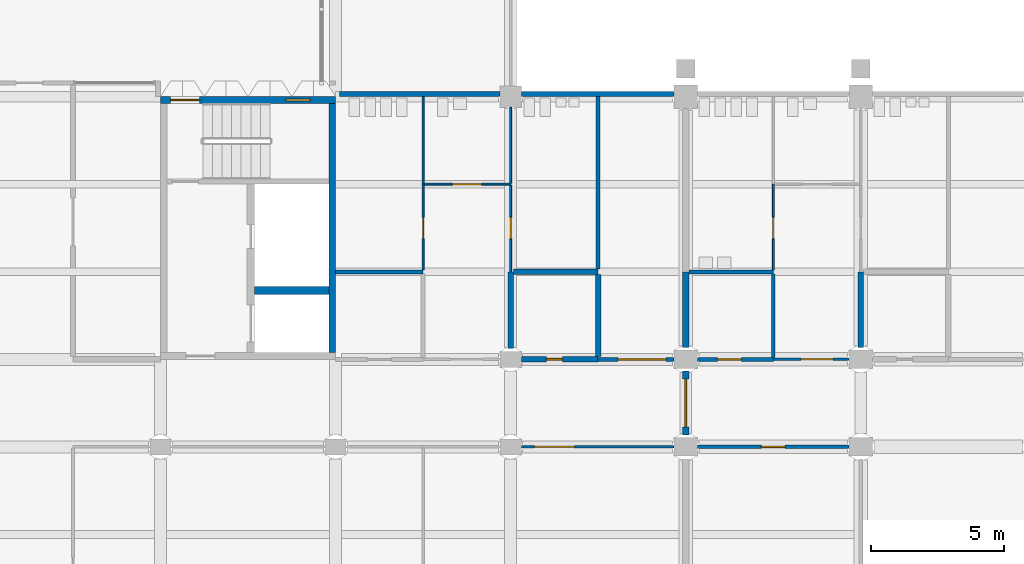
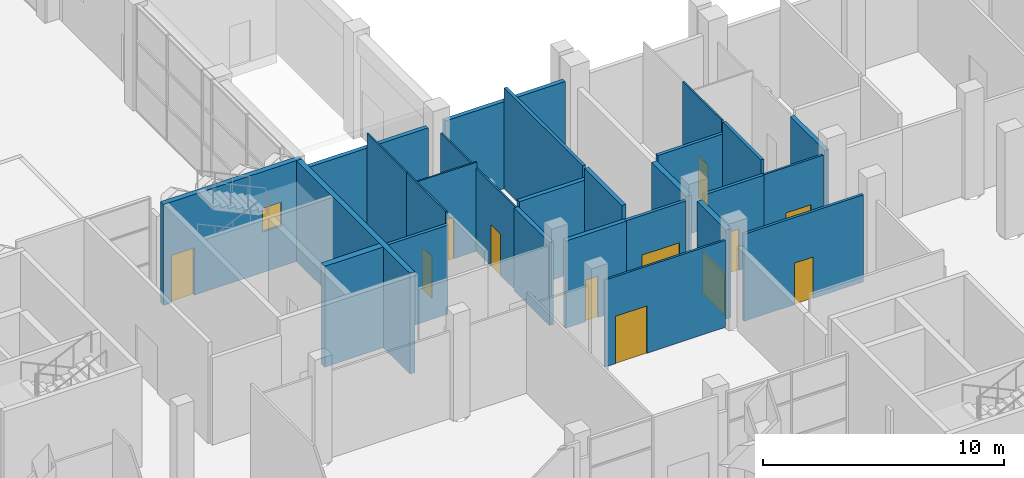
# One storey, part 29 of 85: 27 walls, 12 doors, 1 window, 13 openings.
"""IFC4 building model written with IfcOpenShell, lengths in metres."""

from ifc_helpers import new_model, si_unit, direction, frame, frame_2d, origin, place, context, subcontext, project, spatial, rectangle, extrude, material, layer, layer_set, type_object, element, fill, save


model = new_model("IFC4")

# Units and contexts
model_context = context("Model", 3, precision=1e-05, world=origin(), true_north=direction((0.0, 1.0)))
body_context = subcontext(model_context, "Body", "Model", "MODEL_VIEW")
ifc_project = project(units=[si_unit("LENGTHUNIT", "METRE"), si_unit("AREAUNIT", "SQUARE_METRE"), si_unit("VOLUMEUNIT", "CUBIC_METRE"), si_unit("PLANEANGLEUNIT", "RADIAN"), si_unit("MASSUNIT", "GRAM", prefix="KILO")], contexts=[model_context])

# Site, building, storey
site_placement = place(None, origin())
site = spatial("IfcSite", under=ifc_project, at=site_placement, CompositionType="ELEMENT")
building_placement = place(site_placement, origin())
building = spatial("IfcBuilding", under=site, at=building_placement, Name="Lantern Court Research Institute", CompositionType="ELEMENT")
storey_placement = place(building_placement, origin())
storey = spatial("IfcBuildingStorey", under=building, at=storey_placement, Name="L00", CompositionType="ELEMENT", Elevation=0.0)

# Wall, opening, door
ifc_material_1 = material(Name="Fire-rated gypsum board partition, mineral wool filled")
ifc_layer_1 = layer(ifc_material_1, 0.199951171875)
ifc_layer_set_1 = layer_set([ifc_layer_1], Name="Fire-rated gypsum board partition, mineral wool filled")
wall_type_1 = type_object("IfcWallType", Name="Compartment wall 200 EI 120", PredefinedType="PARTITIONING", material=ifc_layer_set_1)
wall_1_placement = place(storey_placement, frame((46.60009765625, 13.199951171875, 0.0), z_axis=(0.0, 0.0, 1.0), x_axis=(1.0, 0.0, 0.0)))
wall_1 = element("IfcWall", 1, at=wall_1_placement, inside=storey, type_object=wall_type_1, Name="Compartment wall 200 EI 120", PredefinedType="PARTITIONING", context=body_context, shape_type="SweptSolid", body=[
    extrude(rectangle(XDim=2.89990234375, YDim=0.199951171875, at=frame_2d((1.449951171875, 0.0))), origin(), (0.0, 0.0, 1.0), 4.39990234375),
])
opening_1_placement = place(wall_1_placement, frame((0.949951171875, 0.0, 0.0)))
opening_1 = element("IfcOpeningElement", 2, at=opening_1_placement, cuts=wall_1, Name="Opening D4009", PredefinedType="OPENING", context=body_context, shape_type="SweptSolid", body=[
    extrude(rectangle(XDim=0.60009765625, YDim=2.10009765625, at=frame_2d((0.300048828125, 1.050048828125))), frame((0.0, 0.10986328125, 0.0), z_axis=(0.0, -1.0, 0.0), x_axis=(1.0, 0.0, 0.0)), (0.0, 0.0, 1.0), 0.219970703125),
])
ifc_material_2 = material(Name="Solid-core timber door leaf", Category="wood")
ifc_layer_2 = layer(ifc_material_2, 0.06005859375)
ifc_layer_set_2 = layer_set([ifc_layer_2], Name="Solid-core timber door leaf")
door_type_1 = type_object("IfcDoorType", Name="Service riser door 600 x 2100 single FD60", OperationType="NOTDEFINED", PredefinedType="DOOR", material=ifc_layer_set_2)
door_1_placement = place(opening_1_placement, origin())
door_1 = element("IfcDoor", 3, at=door_1_placement, inside=storey, type_object=door_type_1, Name="Door D4009", OperationType="SINGLE_SWING_RIGHT", OverallHeight=2.10009765625, OverallWidth=0.60009765625, PredefinedType="DOOR", context=body_context, shape_type="SweptSolid", body=[
    extrude(rectangle(XDim=0.60009765625, YDim=2.10009765625, at=frame_2d((0.300048828125, 1.050048828125))), frame((0.0, 0.030029296875, 0.0), z_axis=(0.0, -1.0, 0.0), x_axis=(1.0, 0.0, 0.0)), (0.0, 0.0, 1.0), 0.06005859375),
])
fill(opening_1, door_1)

# Walls
wall_2_placement = place(storey_placement, frame((46.199951171875, 13.60009765625, 0.0), z_axis=(0.0, 0.0, 1.0), x_axis=(0.0, 1.0, 0.0)))
element("IfcWall", 4, at=wall_2_placement, inside=storey, type_object=wall_type_1, Name="Compartment wall 200 EI 120", PredefinedType="PARTITIONING", context=body_context, shape_type="SweptSolid", body=[
    extrude(rectangle(XDim=2.89990234375, YDim=0.199951171875, at=frame_2d((1.449951171875, 0.0))), origin(), (0.0, 0.0, 1.0), 4.199951171875),
])
wall_3_placement = place(storey_placement, frame((49.5, 16.5, 0.0), z_axis=(0.0, 0.0, 1.0), x_axis=(-1.0, 0.0, 0.0)))
element("IfcWall", 5, at=wall_3_placement, inside=storey, type_object=wall_type_1, Name="Compartment wall 200 EI 120", PredefinedType="PARTITIONING", context=body_context, shape_type="SweptSolid", body=[
    extrude(rectangle(XDim=3.199951171875, YDim=0.199951171875, at=frame_2d((1.60009765625, 0.0))), origin(), (0.0, 0.0, 1.0), 4.5),
])
wall_4_placement = place(storey_placement, frame((49.5, 13.300048828125, 0.0), z_axis=(0.0, 0.0, 1.0), x_axis=(0.0, 1.0, 0.0)))
element("IfcWall", 6, at=wall_4_placement, inside=storey, type_object=wall_type_1, Name="Compartment wall 200 EI 120", PredefinedType="PARTITIONING", context=body_context, shape_type="SweptSolid", body=[
    extrude(rectangle(XDim=3.099853515625, YDim=0.199951171875, at=frame_2d((1.5498046875, 0.0))), origin(), (0.0, 0.0, 1.0), 5.10009765625),
])
wall_5_placement = place(storey_placement, frame((59.39990234375, 13.64990234375, 0.0), z_axis=(0.0, 0.0, 1.0), x_axis=(0.0, 1.0, 0.0)))
element("IfcWall", 7, at=wall_5_placement, inside=storey, type_object=wall_type_1, Name="Compartment wall 200 EI 120", PredefinedType="PARTITIONING", context=body_context, shape_type="SweptSolid", body=[
    extrude(rectangle(XDim=2.85009765625, YDim=0.199951171875, at=frame_2d((1.425048828125, 0.0))), origin(), (0.0, 0.0, 1.0), 4.199951171875),
])

# Wall, opening, door
ifc_material_3 = material(Name="Fire-rated gypsum board partition, mineral wool filled")
ifc_layer_3 = layer(ifc_material_3, 0.125)
ifc_layer_set_3 = layer_set([ifc_layer_3], Name="Fire-rated gypsum board partition, mineral wool filled")
wall_type_2 = type_object("IfcWallType", Name="Corridor partition 125 EI 60", PredefinedType="PARTITIONING", material=ifc_layer_set_3)
wall_6_placement = place(storey_placement, frame((58.949951171875, 9.89990234375, 0.0), z_axis=(0.0, 0.0, 1.0), x_axis=(-1.0, 0.0, 0.0)))
wall_6 = element("IfcWall", 8, at=wall_6_placement, inside=storey, type_object=wall_type_2, Name="Corridor partition 125 EI 60", PredefinedType="PARTITIONING", context=body_context, shape_type="SweptSolid", body=[
    extrude(rectangle(XDim=5.699951171875, YDim=0.125, at=frame_2d((2.85009765625, 0.0))), origin(), (0.0, 0.0, 1.0), 4.39990234375),
])
opening_2_placement = place(wall_6_placement, frame((2.39990234375, 0.0, 0.0)))
opening_2 = element("IfcOpeningElement", 9, at=opening_2_placement, cuts=wall_6, Name="Opening D5001", PredefinedType="OPENING", context=body_context, shape_type="SweptSolid", body=[
    extrude(rectangle(XDim=0.89990234375, YDim=2.10009765625, at=frame_2d((0.449951171875, 1.050048828125))), frame((0.0, 0.072509765625, 0.0), z_axis=(0.0, -1.0, 0.0), x_axis=(1.0, 0.0, 0.0)), (0.0, 0.0, 1.0), 0.14501953125),
])
ifc_material_4 = material(Name="Solid-core timber door leaf", Category="wood")
ifc_layer_4 = layer(ifc_material_4, 0.053955078125)
ifc_layer_set_4 = layer_set([ifc_layer_4], Name="Solid-core timber door leaf")
door_type_2 = type_object("IfcDoorType", Name="Locker room door 900 x 2100 single FD30S", OperationType="NOTDEFINED", PredefinedType="DOOR", material=ifc_layer_set_4)
door_2_placement = place(opening_2_placement, origin())
door_2 = element("IfcDoor", 10, at=door_2_placement, inside=storey, type_object=door_type_2, Name="Door D5001", OperationType="SINGLE_SWING_LEFT", OverallHeight=2.10009765625, OverallWidth=0.89990234375, PredefinedType="DOOR", context=body_context, shape_type="SweptSolid", body=[
    extrude(rectangle(XDim=0.89990234375, YDim=2.10009765625, at=frame_2d((0.449951171875, 1.050048828125))), frame((0.0, 0.02685546875, 0.0), z_axis=(0.0, -1.0, 0.0), x_axis=(1.0, 0.0, 0.0)), (0.0, 0.0, 1.0), 0.053955078125),
])
fill(opening_2, door_2)

ifc_material_5 = material(Name="Fire-rated gypsum board partition, mineral wool filled")
ifc_layer_5 = layer(ifc_material_5, 0.14990234375)
ifc_layer_set_5 = layer_set([ifc_layer_5], Name="Fire-rated gypsum board partition, mineral wool filled")
wall_type_3 = type_object("IfcWallType", Name="Laboratory partition 150 EI 60", PredefinedType="PARTITIONING", material=ifc_layer_set_5)
wall_7_placement = place(storey_placement, frame((49.5, 13.199951171875, 0.0), z_axis=(0.0, 0.0, 1.0), x_axis=(1.0, 0.0, 0.0)))
wall_7 = element("IfcWall", 11, at=wall_7_placement, inside=storey, type_object=wall_type_3, Name="Laboratory partition 150 EI 60", PredefinedType="PARTITIONING", context=body_context, shape_type="SweptSolid", body=[
    extrude(rectangle(XDim=2.85009765625, YDim=0.14990234375, at=frame_2d((1.425048828125, 0.0))), origin(), (0.0, 0.0, 1.0), 4.39990234375),
])
opening_3_placement = place(wall_7_placement, frame((0.75, 0.0, 0.0)))
opening_3 = element("IfcOpeningElement", 12, at=opening_3_placement, cuts=wall_7, Name="Opening D4011", PredefinedType="OPENING", context=body_context, shape_type="SweptSolid", body=[
    extrude(rectangle(XDim=1.800048828125, YDim=2.39990234375, at=frame_2d((0.89990234375, 1.199951171875))), frame((0.0, 0.0849609375, 0.0), z_axis=(0.0, -1.0, 0.0), x_axis=(1.0, 0.0, 0.0)), (0.0, 0.0, 1.0), 0.169921875),
])
ifc_material_6 = material(Name="Solid-core timber door leaf", Category="wood")
ifc_layer_6 = layer(ifc_material_6, 0.053955078125)
ifc_layer_set_6 = layer_set([ifc_layer_6], Name="Solid-core timber door leaf")
door_type_3 = type_object("IfcDoorType", Name="Workshop equipment door 1800 x 2400 pair FD30S", OperationType="DOUBLE_DOOR_SINGLE_SWING", PredefinedType="DOOR", material=ifc_layer_set_6)
door_3_placement = place(opening_3_placement, origin())
door_3 = element("IfcDoor", 13, at=door_3_placement, inside=storey, type_object=door_type_3, Name="Door D4011", OperationType="DOUBLE_DOOR_SINGLE_SWING", OverallHeight=2.39990234375, OverallWidth=1.800048828125, PredefinedType="DOOR", context=body_context, shape_type="SweptSolid", body=[
    extrude(rectangle(XDim=1.800048828125, YDim=2.39990234375, at=frame_2d((0.89990234375, 1.199951171875))), frame((0.0, 0.02685546875, 0.0), z_axis=(0.0, -1.0, 0.0), x_axis=(1.0, 0.0, 0.0)), (0.0, 0.0, 1.0), 0.053955078125),
])
fill(opening_3, door_3)

# Walls
wall_8_placement = place(storey_placement, frame((42.89990234375, 16.5, 0.0), z_axis=(0.0, 0.0, 1.0), x_axis=(-1.0, 0.0, 0.0)))
element("IfcWall", 14, at=wall_8_placement, inside=storey, type_object=wall_type_3, Name="Laboratory partition 150 EI 60", PredefinedType="PARTITIONING", context=body_context, shape_type="SweptSolid", body=[
    extrude(rectangle(XDim=3.2998046875, YDim=0.14990234375, at=frame_2d((1.64990234375, 0.0))), origin(), (0.0, 0.0, 1.0), 4.5),
])
wall_9_placement = place(storey_placement, frame((49.5, 16.60009765625, 0.0), z_axis=(0.0, 0.0, 1.0), x_axis=(0.0, 1.0, 0.0)))
element("IfcWall", 15, at=wall_9_placement, inside=storey, type_object=wall_type_3, Name="Laboratory partition 150 EI 60", PredefinedType="PARTITIONING", context=body_context, shape_type="SweptSolid", body=[
    extrude(rectangle(XDim=6.5, YDim=0.14990234375, at=frame_2d((3.25, 0.0))), origin(), (0.0, 0.0, 1.0), 5.10009765625),
])

# Wall, opening, door
wall_10_placement = place(storey_placement, frame((56.10009765625, 13.199951171875, 0.0), z_axis=(0.0, 0.0, 1.0), x_axis=(-1.0, 0.0, 0.0)))
wall_10 = element("IfcWall", 16, at=wall_10_placement, inside=storey, type_object=wall_type_3, Name="Laboratory partition 150 EI 60", PredefinedType="PARTITIONING", context=body_context, shape_type="SweptSolid", body=[
    extrude(rectangle(XDim=2.85009765625, YDim=0.14990234375, at=frame_2d((1.425048828125, 0.0))), origin(), (0.0, 0.0, 1.0), 4.39990234375),
])
opening_4_placement = place(wall_10_placement, frame((1.199951171875, 0.0, 0.0)))
opening_4 = element("IfcOpeningElement", 17, at=opening_4_placement, cuts=wall_10, Name="Opening D5005", PredefinedType="OPENING", context=body_context, shape_type="SweptSolid", body=[
    extrude(rectangle(XDim=0.89990234375, YDim=2.10009765625, at=frame_2d((0.449951171875, 1.050048828125))), frame((0.0, 0.0849609375, 0.0), z_axis=(0.0, -1.0, 0.0), x_axis=(1.0, 0.0, 0.0)), (0.0, 0.0, 1.0), 0.169921875),
])
ifc_material_7 = material(Name="Solid-core timber door leaf", Category="wood")
ifc_layer_7 = layer(ifc_material_7, 0.053955078125)
ifc_layer_set_7 = layer_set([ifc_layer_7], Name="Solid-core timber door leaf")
door_type_4 = type_object("IfcDoorType", Name="Cleaners store door 900 x 2100 single FD30S", OperationType="NOTDEFINED", PredefinedType="DOOR", material=ifc_layer_set_7)
door_4_placement = place(opening_4_placement, origin())
door_4 = element("IfcDoor", 18, at=door_4_placement, inside=storey, type_object=door_type_4, Name="Door D5005", OperationType="SINGLE_SWING_LEFT", OverallHeight=2.10009765625, OverallWidth=0.89990234375, PredefinedType="DOOR", context=body_context, shape_type="SweptSolid", body=[
    extrude(rectangle(XDim=0.89990234375, YDim=2.10009765625, at=frame_2d((0.449951171875, 1.050048828125))), frame((0.0, 0.02685546875, 0.0), z_axis=(0.0, -1.0, 0.0), x_axis=(1.0, 0.0, 0.0)), (0.0, 0.0, 1.0), 0.053955078125),
])
fill(opening_4, door_4)

# Walls
wall_11_placement = place(storey_placement, frame((56.10009765625, 16.5, 0.0), z_axis=(0.0, 0.0, 1.0), x_axis=(-1.0, 0.0, 0.0)))
element("IfcWall", 19, at=wall_11_placement, inside=storey, type_object=wall_type_3, Name="Laboratory partition 150 EI 60", PredefinedType="PARTITIONING", context=body_context, shape_type="SweptSolid", body=[
    extrude(rectangle(XDim=3.175048828125, YDim=0.14990234375, at=frame_2d((1.58740234375, 0.0))), origin(), (0.0, 0.0, 1.0), 4.5),
])
wall_12_placement = place(storey_placement, frame((56.10009765625, 13.27490234375, 0.0), z_axis=(0.0, 0.0, 1.0), x_axis=(0.0, 1.0, 0.0)))
element("IfcWall", 20, at=wall_12_placement, inside=storey, type_object=wall_type_3, Name="Laboratory partition 150 EI 60", PredefinedType="PARTITIONING", context=body_context, shape_type="SweptSolid", body=[
    extrude(rectangle(XDim=3.150146484375, YDim=0.14990234375, at=frame_2d((1.5751953125, 0.0))), origin(), (0.0, 0.0, 1.0), 5.10009765625),
])

# Wall, opening, door
ifc_material_8 = material(Name="Gypsum board partition, mineral wool filled")
ifc_layer_8 = layer(ifc_material_8, 0.10009765625)
ifc_layer_set_8 = layer_set([ifc_layer_8], Name="Gypsum board partition, mineral wool filled")
wall_type_4 = type_object("IfcWallType", Name="Partition 100", PredefinedType="PARTITIONING", material=ifc_layer_set_8)
wall_13_placement = place(storey_placement, frame((46.60009765625, 9.89990234375, 0.0), z_axis=(0.0, 0.0, 1.0), x_axis=(1.0, 0.0, 0.0)))
wall_13 = element("IfcWall", 21, at=wall_13_placement, inside=storey, type_object=wall_type_4, Name="Partition 100", PredefinedType="PARTITIONING", context=body_context, shape_type="SweptSolid", body=[
    extrude(rectangle(XDim=5.75, YDim=0.10009765625, at=frame_2d((2.875, 0.0))), origin(), (0.0, 0.0, 1.0), 4.39990234375),
])
opening_5_placement = place(wall_13_placement, frame((0.5, 0.0, 0.0)))
opening_5 = element("IfcOpeningElement", 22, at=opening_5_placement, cuts=wall_13, Name="Opening D4015", PredefinedType="OPENING", context=body_context, shape_type="SweptSolid", body=[
    extrude(rectangle(XDim=1.5, YDim=2.39990234375, at=frame_2d((0.75, 1.199951171875))), frame((0.0, 0.06005859375, 0.0), z_axis=(0.0, -1.0, 0.0), x_axis=(1.0, 0.0, 0.0)), (0.0, 0.0, 1.0), 0.1201171875),
])
ifc_material_9 = material(Name="Aluminium alloy 6063-T6", Category="aluminium")
ifc_layer_9 = layer(ifc_material_9, 0.050048828125)
ifc_layer_set_9 = layer_set([ifc_layer_9], Name="Aluminium alloy 6063-T6")
door_type_5 = type_object("IfcDoorType", Name="Shop glazed door 1500 x 2400 pair NOT RATED", OperationType="DOUBLE_DOOR_SINGLE_SWING", PredefinedType="DOOR", material=ifc_layer_set_9)
door_5_placement = place(opening_5_placement, origin())
door_5 = element("IfcDoor", 23, at=door_5_placement, inside=storey, type_object=door_type_5, Name="Door D4015", OperationType="DOUBLE_DOOR_SINGLE_SWING", OverallHeight=2.39990234375, OverallWidth=1.5, PredefinedType="DOOR", context=body_context, shape_type="SweptSolid", body=[
    extrude(rectangle(XDim=1.5, YDim=2.39990234375, at=frame_2d((0.75, 1.199951171875))), frame((0.0, 0.02490234375, 0.0), z_axis=(0.0, -1.0, 0.0), x_axis=(1.0, 0.0, 0.0)), (0.0, 0.0, 1.0), 0.050048828125),
])
fill(opening_5, door_5)

wall_14_placement = place(storey_placement, frame((56.10009765625, 13.199951171875, 0.0), z_axis=(0.0, 0.0, 1.0), x_axis=(1.0, 0.0, 0.0)))
wall_14 = element("IfcWall", 24, at=wall_14_placement, inside=storey, type_object=wall_type_4, Name="Partition 100", PredefinedType="PARTITIONING", context=body_context, shape_type="SweptSolid", body=[
    extrude(rectangle(XDim=2.849853515625, YDim=0.10009765625, at=frame_2d((1.4248046875, 0.0))), origin(), (0.0, 0.0, 1.0), 4.39990234375),
])
opening_6_placement = place(wall_14_placement, frame((1.050048828125, 0.0, 0.0)))
opening_6 = element("IfcOpeningElement", 25, at=opening_6_placement, cuts=wall_14, Name="Opening D5007", PredefinedType="OPENING", context=body_context, shape_type="SweptSolid", body=[
    extrude(rectangle(XDim=1.199951171875, YDim=2.10009765625, at=frame_2d((0.60009765625, 1.050048828125))), frame((0.0, 0.06005859375, 0.0), z_axis=(0.0, -1.0, 0.0), x_axis=(1.0, 0.0, 0.0)), (0.0, 0.0, 1.0), 0.1201171875),
])
ifc_material_10 = material(Name="Solid-core timber door leaf", Category="wood")
ifc_layer_10 = layer(ifc_material_10, 0.0439453125)
ifc_layer_set_10 = layer_set([ifc_layer_10], Name="Solid-core timber door leaf")
door_type_6 = type_object("IfcDoorType", Name="WC vestibule door 1200 x 2100 single NOT RATED", OperationType="NOTDEFINED", PredefinedType="DOOR", material=ifc_layer_set_10)
door_6_placement = place(opening_6_placement, origin())
door_6 = element("IfcDoor", 26, at=door_6_placement, inside=storey, type_object=door_type_6, Name="Door D5007", OperationType="SINGLE_SWING_RIGHT", OverallHeight=2.10009765625, OverallWidth=1.199951171875, PredefinedType="DOOR", context=body_context, shape_type="SweptSolid", body=[
    extrude(rectangle(XDim=1.199951171875, YDim=2.10009765625, at=frame_2d((0.60009765625, 1.050048828125))), frame((0.0, 0.02197265625, 0.0), z_axis=(0.0, -1.0, 0.0), x_axis=(1.0, 0.0, 0.0)), (0.0, 0.0, 1.0), 0.0439453125),
])
fill(opening_6, door_6)

# Walls
ifc_material_11 = material(Name="Fire-rated blockwork", Category="masonry")
ifc_layer_11 = layer(ifc_material_11, 0.199951171875)
ifc_layer_set_11 = layer_set([ifc_layer_11], Name="Fire-rated blockwork")
wall_type_5 = type_object("IfcWallType", Name="Party wall 200 mm EI 120", PredefinedType="PARTITIONING", material=ifc_layer_set_11)
wall_15_placement = place(storey_placement, frame((39.75, 23.199951171875, 0.0), z_axis=(0.0, 0.0, 1.0), x_axis=(1.0, 0.0, 0.0)))
element("IfcWall", 27, at=wall_15_placement, inside=storey, type_object=wall_type_5, Name="Wall V2-L00-001", PredefinedType="PARTITIONING", context=body_context, shape_type="SweptSolid", body=[
    extrude(rectangle(XDim=6.050048828125, YDim=0.199951171875, at=frame_2d((3.02490234375, 0.0))), origin(), (0.0, 0.0, 1.0), 4.35009765625),
])
wall_16_placement = place(storey_placement, frame((46.60009765625, 23.199951171875, 0.0), z_axis=(0.0, 0.0, 1.0), x_axis=(1.0, 0.0, 0.0)))
element("IfcWall", 28, at=wall_16_placement, inside=storey, type_object=wall_type_5, Name="Wall V2-L00-002", PredefinedType="PARTITIONING", context=body_context, shape_type="SweptSolid", body=[
    extrude(rectangle(XDim=5.75, YDim=0.199951171875, at=frame_2d((2.875, 0.0))), origin(), (0.0, 0.0, 1.0), 4.39990234375),
])

# Wall, opening, door
ifc_material_12 = material(Name="Fire-rated gypsum board partition, double stud, mineral wool filled")
ifc_layer_12 = layer(ifc_material_12, 0.25)
ifc_layer_set_12 = layer_set([ifc_layer_12], Name="Fire-rated gypsum board partition, double stud, mineral wool filled")
wall_type_6 = type_object("IfcWallType", Name="Plant compartment wall 250 EI 120", PredefinedType="PARTITIONING", material=ifc_layer_set_12)
wall_17_placement = place(storey_placement, frame((52.800048828125, 10.35009765625, 0.0), z_axis=(0.0, 0.0, 1.0), x_axis=(0.0, 1.0, 0.0)))
wall_17 = element("IfcWall", 29, at=wall_17_placement, inside=storey, type_object=wall_type_6, Name="Plant compartment wall 250 EI 120", PredefinedType="PARTITIONING", context=body_context, shape_type="SweptSolid", body=[
    extrude(rectangle(XDim=2.39990234375, YDim=0.25, at=frame_2d((1.199951171875, 0.0))), origin(), (0.0, 0.0, 1.0), 4.5),
])
opening_7_placement = place(wall_17_placement, frame((0.300048828125, 0.0, 0.0)))
opening_7 = element("IfcOpeningElement", 30, at=opening_7_placement, cuts=wall_17, Name="Opening D4001", PredefinedType="OPENING", context=body_context, shape_type="SweptSolid", body=[
    extrude(rectangle(XDim=1.800048828125, YDim=2.10009765625, at=frame_2d((0.89990234375, 1.050048828125))), frame((0.0, 0.135009765625, 0.0), z_axis=(0.0, -1.0, 0.0), x_axis=(1.0, 0.0, 0.0)), (0.0, 0.0, 1.0), 0.27001953125),
])
ifc_material_13 = material(Name="Solid-core timber door leaf", Category="wood")
ifc_layer_13 = layer(ifc_material_13, 0.06005859375)
ifc_layer_set_13 = layer_set([ifc_layer_13], Name="Solid-core timber door leaf")
door_type_7 = type_object("IfcDoorType", Name="Corridor fire door pair door 1800 x 2100 pair FD60", OperationType="DOUBLE_DOOR_SINGLE_SWING", PredefinedType="DOOR", material=ifc_layer_set_13)
door_7_placement = place(opening_7_placement, origin())
door_7 = element("IfcDoor", 31, at=door_7_placement, inside=storey, type_object=door_type_7, Name="Door D4001", OperationType="DOUBLE_DOOR_SINGLE_SWING", OverallHeight=2.10009765625, OverallWidth=1.800048828125, PredefinedType="DOOR", context=body_context, shape_type="SweptSolid", body=[
    extrude(rectangle(XDim=1.800048828125, YDim=2.10009765625, at=frame_2d((0.89990234375, 1.050048828125))), frame((0.0, 0.030029296875, 0.0), z_axis=(0.0, -1.0, 0.0), x_axis=(1.0, 0.0, 0.0)), (0.0, 0.0, 1.0), 0.06005859375),
])
fill(opening_7, door_7)

# Walls
wall_18_placement = place(storey_placement, frame((52.800048828125, 13.64990234375, 0.0), z_axis=(0.0, 0.0, 1.0), x_axis=(0.0, 1.0, 0.0)))
element("IfcWall", 32, at=wall_18_placement, inside=storey, type_object=wall_type_6, Name="Plant compartment wall 250 EI 120", PredefinedType="PARTITIONING", context=body_context, shape_type="SweptSolid", body=[
    extrude(rectangle(XDim=2.85009765625, YDim=0.25, at=frame_2d((1.425048828125, 0.0))), origin(), (0.0, 0.0, 1.0), 4.199951171875),
])
ifc_material_14 = material(Name="Concrete C40/50", Category="concrete")
ifc_layer_14 = layer(ifc_material_14, 0.25)
ifc_layer_set_14 = layer_set([ifc_layer_14], Name="Concrete C40/50")
wall_type_7 = type_object("IfcWallType", Name="RC core wall 250", PredefinedType="SHEAR", material=ifc_layer_set_14)
wall_19_placement = place(storey_placement, frame((39.47509765625, 13.449951171875, 0.0), z_axis=(0.0, 0.0, 1.0), x_axis=(0.0, 1.0, 0.0)))
element("IfcWall", 33, at=wall_19_placement, inside=storey, type_object=wall_type_7, Name="East wall of core BC-E", PredefinedType="SHEAR", context=body_context, shape_type="SweptSolid", body=[
    extrude(rectangle(XDim=9.400146484375, YDim=0.25, at=frame_2d((4.7001953125, 0.0))), origin(), (0.0, 0.0, 1.0), 5.10009765625),
])

# Wall, openings, door, window
ifc_material_15 = material(Name="Concrete C40/50", Category="concrete")
ifc_layer_15 = layer(ifc_material_15, 0.25)
ifc_layer_set_15 = layer_set([ifc_layer_15], Name="Concrete C40/50")
wall_type_8 = type_object("IfcWallType", Name="RC core wall 250 facade", PredefinedType="SHEAR", material=ifc_layer_set_15)
wall_20_placement = place(storey_placement, frame((33.0, 22.97509765625, 0.0), z_axis=(0.0, 0.0, 1.0), x_axis=(1.0, 0.0, 0.0)))
wall_20 = element("IfcWall", 34, at=wall_20_placement, inside=storey, type_object=wall_type_8, Name="North wall of core BC-E", PredefinedType="SHEAR", context=body_context, shape_type="SweptSolid", body=[
    extrude(rectangle(XDim=6.60009765625, YDim=0.25, at=frame_2d((3.300048828125, 0.0))), origin(), (0.0, 0.0, 1.0), 5.10009765625),
])
opening_8_placement = place(wall_20_placement, frame((0.375, 0.0, 0.0)))
opening_8 = element("IfcOpeningElement", 35, at=opening_8_placement, cuts=wall_20, Name="Opening D7073", PredefinedType="OPENING", context=body_context, shape_type="SweptSolid", body=[
    extrude(rectangle(XDim=1.10009765625, YDim=2.39990234375, at=frame_2d((0.550048828125, 1.199951171875))), frame((0.0, 0.135009765625, 0.0), z_axis=(0.0, -1.0, 0.0), x_axis=(1.0, 0.0, 0.0)), (0.0, 0.0, 1.0), 0.27001953125),
])
opening_9_placement = place(wall_20_placement, frame((4.735107421875, 0.0, 2.050048828125)))
opening_9 = element("IfcOpeningElement", 36, at=opening_9_placement, cuts=wall_20, Name="Opening W6", PredefinedType="OPENING", context=body_context, shape_type="SweptSolid", body=[
    extrude(rectangle(XDim=0.89990234375, YDim=1.199951171875, at=frame_2d((0.449951171875, 0.60009765625))), frame((0.0, 0.135009765625, 0.0), z_axis=(0.0, -1.0, 0.0), x_axis=(1.0, 0.0, 0.0)), (0.0, 0.0, 1.0), 0.27001953125),
])
ifc_material_16 = material(Name="Steel fire door leaf with smoke seals", Category="steel")
door_type_8 = type_object("IfcDoorType", Name="Door 1100 x 2400 fire rated FD60S", OperationType="NOTDEFINED", PredefinedType="DOOR", material=ifc_material_16)
door_8_placement = place(opening_8_placement, origin())
door_8 = element("IfcDoor", 37, at=door_8_placement, inside=storey, type_object=door_type_8, Name="Stair exit door", OperationType="SINGLE_SWING_RIGHT", OverallHeight=2.39990234375, OverallWidth=1.10009765625, PredefinedType="DOOR", context=body_context, shape_type="SweptSolid", body=[
    extrude(rectangle(XDim=1.10009765625, YDim=2.39990234375, at=frame_2d((0.550048828125, 1.199951171875))), frame((0.0, 0.02490234375, 0.0), z_axis=(0.0, -1.0, 0.0), x_axis=(1.0, 0.0, 0.0)), (0.0, 0.0, 1.0), 0.050048828125),
])
fill(opening_8, door_8)
ifc_material_17 = material(Name="Aluminium alloy 6063-T6 frame with laminated glass", Category="aluminium")
window_type = type_object("IfcWindowType", Name="Stair window 900 x 1200", PartitioningType="SINGLE_PANEL", PredefinedType="WINDOW", material=ifc_material_17)
window_placement = place(opening_9_placement, origin())
window = element("IfcWindow", 38, at=window_placement, inside=storey, type_object=window_type, Name="Stair window", OverallHeight=1.199951171875, OverallWidth=0.89990234375, PartitioningType="SINGLE_PANEL", PredefinedType="WINDOW", context=body_context, shape_type="SweptSolid", body=[
    extrude(rectangle(XDim=0.89990234375, YDim=1.199951171875, at=frame_2d((0.449951171875, 0.60009765625))), frame((0.0, 0.030029296875, 0.0), z_axis=(0.0, -1.0, 0.0), x_axis=(1.0, 0.0, 0.0)), (0.0, 0.0, 1.0), 0.06005859375),
])
fill(opening_9, window)

# Wall
ifc_material_18 = material(Name="Concrete C40/50", Category="concrete")
ifc_layer_16 = layer(ifc_material_18, 0.300048828125)
ifc_layer_set_16 = layer_set([ifc_layer_16], Name="Concrete C40/50")
wall_type_9 = type_object("IfcWallType", Name="RC shaft wall 300", PredefinedType="SHEAR", material=ifc_layer_set_16)
wall_21_placement = place(storey_placement, frame((36.550048828125, 15.800048828125, 0.0), z_axis=(0.0, 0.0, 1.0), x_axis=(1.0, 0.0, 0.0)))
element("IfcWall", 39, at=wall_21_placement, inside=storey, type_object=wall_type_9, Name="Lift shaft wall of core BC-E", PredefinedType="SHEAR", context=body_context, shape_type="SweptSolid", body=[
    extrude(rectangle(XDim=2.800048828125, YDim=0.300048828125, at=frame_2d((1.39990234375, 0.0))), origin(), (0.0, 0.0, 1.0), 5.10009765625),
])

# Wall, opening, door
ifc_material_19 = material(Name="Gypsum board partition, mineral wool filled")
ifc_layer_17 = layer(ifc_material_19, 0.074951171875)
ifc_layer_set_17 = layer_set([ifc_layer_17], Name="Gypsum board partition, mineral wool filled")
wall_type_10 = type_object("IfcWallType", Name="Wet room partition 75", PredefinedType="PARTITIONING", material=ifc_layer_set_17)
wall_22_placement = place(storey_placement, frame((42.89990234375, 16.574951171875, 0.0), z_axis=(0.0, 0.0, 1.0), x_axis=(0.0, 1.0, 0.0)))
wall_22 = element("IfcWall", 40, at=wall_22_placement, inside=storey, type_object=wall_type_10, Name="Wet room partition 75", PredefinedType="PARTITIONING", context=body_context, shape_type="SweptSolid", body=[
    extrude(rectangle(XDim=3.22509765625, YDim=0.074951171875, at=frame_2d((1.612548828125, 0.0))), origin(), (0.0, 0.0, 1.0), 5.10009765625),
])
opening_10_placement = place(wall_22_placement, frame((1.175048828125, 0.0, 0.0)))
opening_10 = element("IfcOpeningElement", 41, at=opening_10_placement, cuts=wall_22, Name="Opening D4006", PredefinedType="OPENING", context=body_context, shape_type="SweptSolid", body=[
    extrude(rectangle(XDim=0.800048828125, YDim=2.10009765625, at=frame_2d((0.39990234375, 1.050048828125))), frame((0.0, 0.04736328125, 0.0), z_axis=(0.0, -1.0, 0.0), x_axis=(1.0, 0.0, 0.0)), (0.0, 0.0, 1.0), 0.094970703125),
])
ifc_material_20 = material(Name="Solid-core timber door leaf", Category="wood")
ifc_layer_18 = layer(ifc_material_20, 0.0439453125)
ifc_layer_set_18 = layer_set([ifc_layer_18], Name="Solid-core timber door leaf")
door_type_9 = type_object("IfcDoorType", Name="WC door 800 x 2100 single NOT RATED", OperationType="NOTDEFINED", PredefinedType="DOOR", material=ifc_layer_set_18)
door_9_placement = place(opening_10_placement, origin())
door_9 = element("IfcDoor", 42, at=door_9_placement, inside=storey, type_object=door_type_9, Name="Door D4006", OperationType="SINGLE_SWING_LEFT", OverallHeight=2.10009765625, OverallWidth=0.800048828125, PredefinedType="DOOR", context=body_context, shape_type="SweptSolid", body=[
    extrude(rectangle(XDim=0.800048828125, YDim=2.10009765625, at=frame_2d((0.39990234375, 1.050048828125))), frame((0.0, 0.02197265625, 0.0), z_axis=(0.0, -1.0, 0.0), x_axis=(1.0, 0.0, 0.0)), (0.0, 0.0, 1.0), 0.0439453125),
])
fill(opening_10, door_9)

# Wall
wall_23_placement = place(storey_placement, frame((42.89990234375, 19.800048828125, 0.0), z_axis=(0.0, 0.0, 1.0), x_axis=(0.0, 1.0, 0.0)))
element("IfcWall", 43, at=wall_23_placement, inside=storey, type_object=wall_type_10, Name="Wet room partition 75", PredefinedType="PARTITIONING", context=body_context, shape_type="SweptSolid", body=[
    extrude(rectangle(XDim=3.300048828125, YDim=0.074951171875, at=frame_2d((1.64990234375, 0.0))), origin(), (0.0, 0.0, 1.0), 5.10009765625),
])

# Wall, opening, door
wall_24_placement = place(storey_placement, frame((42.9375, 19.800048828125, 0.0), z_axis=(0.0, 0.0, 1.0), x_axis=(1.0, 0.0, 0.0)))
wall_24 = element("IfcWall", 44, at=wall_24_placement, inside=storey, type_object=wall_type_10, Name="Wet room partition 75", PredefinedType="PARTITIONING", context=body_context, shape_type="SweptSolid", body=[
    extrude(rectangle(XDim=3.262451171875, YDim=0.074951171875, at=frame_2d((1.63134765625, 0.0))), origin(), (0.0, 0.0, 1.0), 4.5),
])
opening_11_placement = place(wall_24_placement, frame((1.0625, 0.0, 0.0)))
opening_11 = element("IfcOpeningElement", 45, at=opening_11_placement, cuts=wall_24, Name="Opening D4008", PredefinedType="OPENING", context=body_context, shape_type="SweptSolid", body=[
    extrude(rectangle(XDim=1.10009765625, YDim=2.10009765625, at=frame_2d((0.550048828125, 1.050048828125))), frame((0.0, 0.04736328125, 0.0), z_axis=(0.0, -1.0, 0.0), x_axis=(1.0, 0.0, 0.0)), (0.0, 0.0, 1.0), 0.094970703125),
])
ifc_material_21 = material(Name="Solid-core timber door leaf", Category="wood")
ifc_layer_19 = layer(ifc_material_21, 0.0439453125)
ifc_layer_set_19 = layer_set([ifc_layer_19], Name="Solid-core timber door leaf")
door_type_10 = type_object("IfcDoorType", Name="Accessible WC door 1100 x 2100 single NOT RATED", OperationType="NOTDEFINED", PredefinedType="DOOR", material=ifc_layer_set_19)
door_10_placement = place(opening_11_placement, origin())
door_10 = element("IfcDoor", 46, at=door_10_placement, inside=storey, type_object=door_type_10, Name="Door D4008", OperationType="SINGLE_SWING_RIGHT", OverallHeight=2.10009765625, OverallWidth=1.10009765625, PredefinedType="DOOR", context=body_context, shape_type="SweptSolid", body=[
    extrude(rectangle(XDim=1.10009765625, YDim=2.10009765625, at=frame_2d((0.550048828125, 1.050048828125))), frame((0.0, 0.02197265625, 0.0), z_axis=(0.0, -1.0, 0.0), x_axis=(1.0, 0.0, 0.0)), (0.0, 0.0, 1.0), 0.0439453125),
])
fill(opening_11, door_10)

wall_25_placement = place(storey_placement, frame((46.199951171875, 19.762451171875, 0.0), z_axis=(0.0, 0.0, 1.0), x_axis=(0.0, -1.0, 0.0)))
wall_25 = element("IfcWall", 47, at=wall_25_placement, inside=storey, type_object=wall_type_10, Name="Wet room partition 75", PredefinedType="PARTITIONING", context=body_context, shape_type="SweptSolid", body=[
    extrude(rectangle(XDim=3.262451171875, YDim=0.074951171875, at=frame_2d((1.63134765625, 0.0))), origin(), (0.0, 0.0, 1.0), 4.199951171875),
])
opening_12_placement = place(wall_25_placement, frame((1.21240234375, 0.0, 0.0)))
opening_12 = element("IfcOpeningElement", 48, at=opening_12_placement, cuts=wall_25, Name="Opening D4010", PredefinedType="OPENING", context=body_context, shape_type="SweptSolid", body=[
    extrude(rectangle(XDim=0.800048828125, YDim=2.10009765625, at=frame_2d((0.39990234375, 1.050048828125))), frame((0.0, 0.04736328125, 0.0), z_axis=(0.0, -1.0, 0.0), x_axis=(1.0, 0.0, 0.0)), (0.0, 0.0, 1.0), 0.094970703125),
])
door_11_placement = place(opening_12_placement, origin())
door_11 = element("IfcDoor", 49, at=door_11_placement, inside=storey, type_object=door_type_9, Name="Door D4010", OperationType="SINGLE_SWING_RIGHT", OverallHeight=2.10009765625, OverallWidth=0.800048828125, PredefinedType="DOOR", context=body_context, shape_type="SweptSolid", body=[
    extrude(rectangle(XDim=0.800048828125, YDim=2.10009765625, at=frame_2d((0.39990234375, 1.050048828125))), frame((0.0, 0.02197265625, 0.0), z_axis=(0.0, -1.0, 0.0), x_axis=(1.0, 0.0, 0.0)), (0.0, 0.0, 1.0), 0.0439453125),
])
fill(opening_12, door_11)

# Wall
wall_26_placement = place(storey_placement, frame((46.199951171875, 19.83740234375, 0.0), z_axis=(0.0, 0.0, 1.0), x_axis=(0.0, 1.0, 0.0)))
element("IfcWall", 50, at=wall_26_placement, inside=storey, type_object=wall_type_10, Name="Wet room partition 75", PredefinedType="PARTITIONING", context=body_context, shape_type="SweptSolid", body=[
    extrude(rectangle(XDim=2.862548828125, YDim=0.074951171875, at=frame_2d((1.43115234375, 0.0))), origin(), (0.0, 0.0, 1.0), 4.199951171875),
])

# Wall, opening, door
wall_27_placement = place(storey_placement, frame((56.10009765625, 16.574951171875, 0.0), z_axis=(0.0, 0.0, 1.0), x_axis=(0.0, 1.0, 0.0)))
wall_27 = element("IfcWall", 51, at=wall_27_placement, inside=storey, type_object=wall_type_10, Name="Wet room partition 75", PredefinedType="PARTITIONING", context=body_context, shape_type="SweptSolid", body=[
    extrude(rectangle(XDim=3.22509765625, YDim=0.074951171875, at=frame_2d((1.612548828125, 0.0))), origin(), (0.0, 0.0, 1.0), 5.10009765625),
])
opening_13_placement = place(wall_27_placement, frame((1.175048828125, 0.0, 0.0)))
opening_13 = element("IfcOpeningElement", 52, at=opening_13_placement, cuts=wall_27, Name="Opening D5006", PredefinedType="OPENING", context=body_context, shape_type="SweptSolid", body=[
    extrude(rectangle(XDim=0.800048828125, YDim=2.10009765625, at=frame_2d((0.39990234375, 1.050048828125))), frame((0.0, 0.04736328125, 0.0), z_axis=(0.0, -1.0, 0.0), x_axis=(1.0, 0.0, 0.0)), (0.0, 0.0, 1.0), 0.094970703125),
])
door_12_placement = place(opening_13_placement, origin())
door_12 = element("IfcDoor", 53, at=door_12_placement, inside=storey, type_object=door_type_9, Name="Door D5006", OperationType="SINGLE_SWING_LEFT", OverallHeight=2.10009765625, OverallWidth=0.800048828125, PredefinedType="DOOR", context=body_context, shape_type="SweptSolid", body=[
    extrude(rectangle(XDim=0.800048828125, YDim=2.10009765625, at=frame_2d((0.39990234375, 1.050048828125))), frame((0.0, 0.02197265625, 0.0), z_axis=(0.0, -1.0, 0.0), x_axis=(1.0, 0.0, 0.0)), (0.0, 0.0, 1.0), 0.0439453125),
])
fill(opening_13, door_12)

save(model, "model.ifc")
